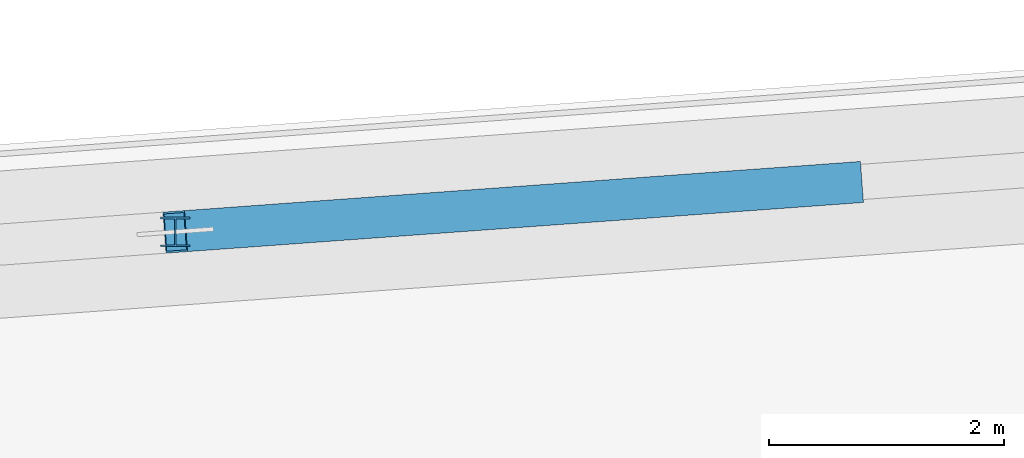
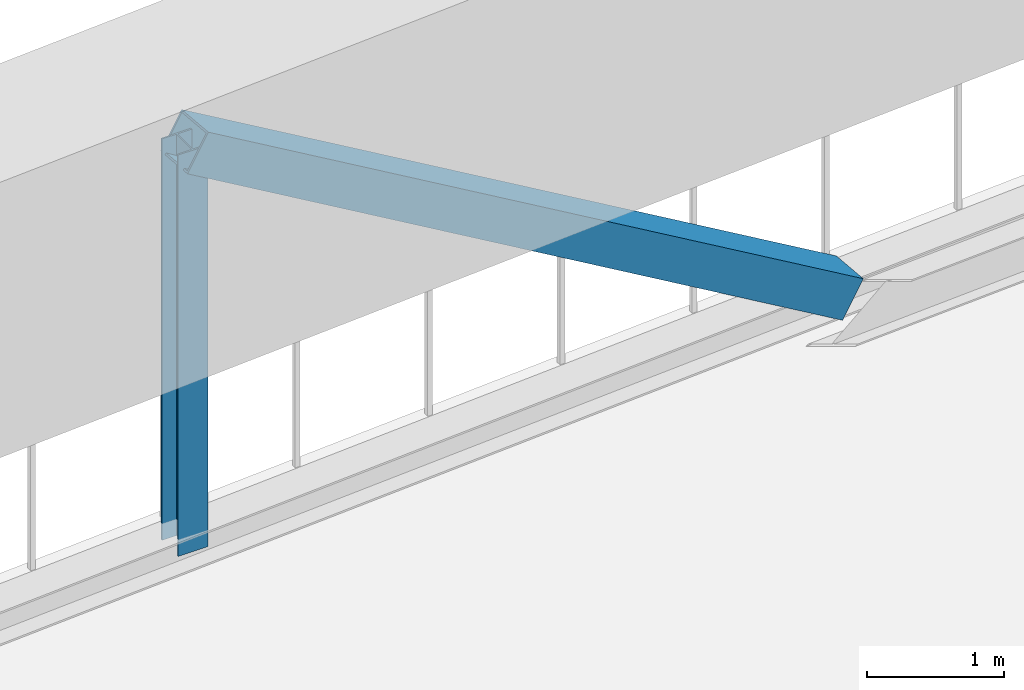
# One storey, part 7 of 27: 2 members.
"""IFC4 building model written with IfcOpenShell, lengths in metres."""

from ifc_helpers import new_model, si_unit, direction, frame, origin, origin_2d, place, context, subcontext, project, spatial, hollow_rectangle, i_section, extrude, source, transform, mapped, material, material_profile, profile_set, type_object, element, save


model = new_model("IFC4")

# Units and contexts
model_context = context("Model", 3, precision=1e-05, world=origin(), true_north=direction((0.0, 1.0)))
body_context = subcontext(model_context, "Body", "Model", "MODEL_VIEW")
ifc_project = project(units=[si_unit("LENGTHUNIT", "METRE"), si_unit("AREAUNIT", "SQUARE_METRE"), si_unit("VOLUMEUNIT", "CUBIC_METRE"), si_unit("PLANEANGLEUNIT", "RADIAN"), si_unit("MASSUNIT", "GRAM", prefix="KILO")], contexts=[model_context])

# Site, building, storey
site_placement = place(None, origin())
site = spatial("IfcSite", under=ifc_project, at=site_placement, CompositionType="ELEMENT")
building_placement = place(site_placement, origin())
building = spatial("IfcBuilding", under=site, at=building_placement, Name="Liaohun Quay Tower", CompositionType="ELEMENT")
storey_placement = place(building_placement, frame((0.0, 0.0, 185.25)))
storey = spatial("IfcBuildingStorey", under=building, at=storey_placement, Name="L48", CompositionType="ELEMENT", Elevation=185.25)

# Members
ifc_material = material(Name="Steel Q355D", Category="steel")
ifc_material_profile_1 = material_profile(ifc_material, i_section(OverallWidth=0.25, OverallDepth=0.25, WebThickness=0.009033203125, FlangeThickness=0.013916015625, at=origin_2d()), Name="HW250x250x9x14")
ifc_profile_set_1 = profile_set([ifc_material_profile_1], Name="Steel Q355D")
member_type_1 = type_object("IfcMemberType", Name="MEM-BLT-PST", PredefinedType="POST", material=ifc_profile_set_1)
shared_shape_1 = source(origin(), body_context, "Body", "SweptSolid", [
    extrude(i_section(OverallWidth=0.25, OverallDepth=0.25, WebThickness=0.009033203125, FlangeThickness=0.013916015625, at=origin_2d()), origin(), (0.0, 0.0, 1.0), 3.56982421875),
])
member_1_placement = place(storey_placement, frame((44.284912109375, 78.08203125, 0.35009765625), z_axis=(0.0, 0.0, 1.0), x_axis=(1.0, 0.0, 0.0)))
element("IfcMember", 1, at=member_1_placement, inside=storey, type_object=member_type_1, Name="L48 Belt Truss Vertical Post BP-1-03", PredefinedType="POST", context=body_context, shape_type="MappedRepresentation", body=[
    mapped(shared_shape_1, transform((0.0, 0.0, 0.0), x_axis=(1.0, 0.0, 0.0), y_axis=(0.0, 1.0, 0.0), z_axis=(0.0, 0.0, 1.0), scale=1.0)),
])
ifc_material_profile_2 = material_profile(ifc_material, hollow_rectangle(XDim=0.35009765625, YDim=0.35009765625, WallThickness=0.01611328125, at=origin_2d()), Name="SHS350x350x16")
ifc_profile_set_2 = profile_set([ifc_material_profile_2], Name="Steel Q355D")
member_type_2 = type_object("IfcMemberType", Name="MEM-BLT-DG2", PredefinedType="BRACE", material=ifc_profile_set_2)
shared_shape_2 = source(origin(), body_context, "Body", "SweptSolid", [
    extrude(hollow_rectangle(XDim=0.35009765625, YDim=0.35009765625, WallThickness=0.01611328125, at=origin_2d()), origin(), (0.0, 0.0, 1.0), 6.78173828125),
])
member_2_placement = place(storey_placement, frame((44.284912109375, 78.08203125, 3.919921875), z_axis=(0.848008292766, 0.061631439855, -0.526387215861), x_axis=(-0.07248668614, 0.997369380086, 0.0)))
element("IfcMember", 2, at=member_2_placement, inside=storey, type_object=member_type_2, Name="L48 Belt Truss Diagonal BD-03B", PredefinedType="BRACE", context=body_context, shape_type="MappedRepresentation", body=[
    mapped(shared_shape_2, transform((0.0, 0.0, 0.0), x_axis=(1.0, 0.0, 0.0), y_axis=(0.0, 1.0, 0.0), z_axis=(0.0, 0.0, 1.0), scale=1.0)),
])

save(model, "model.ifc")
